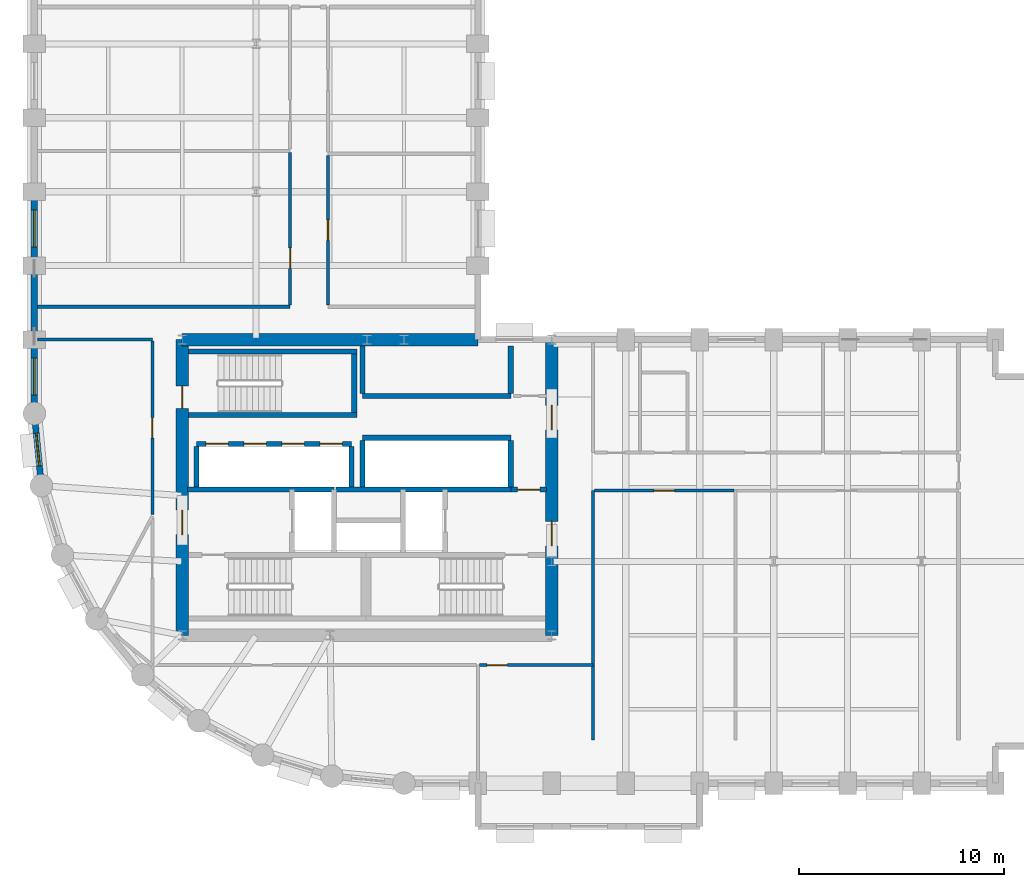
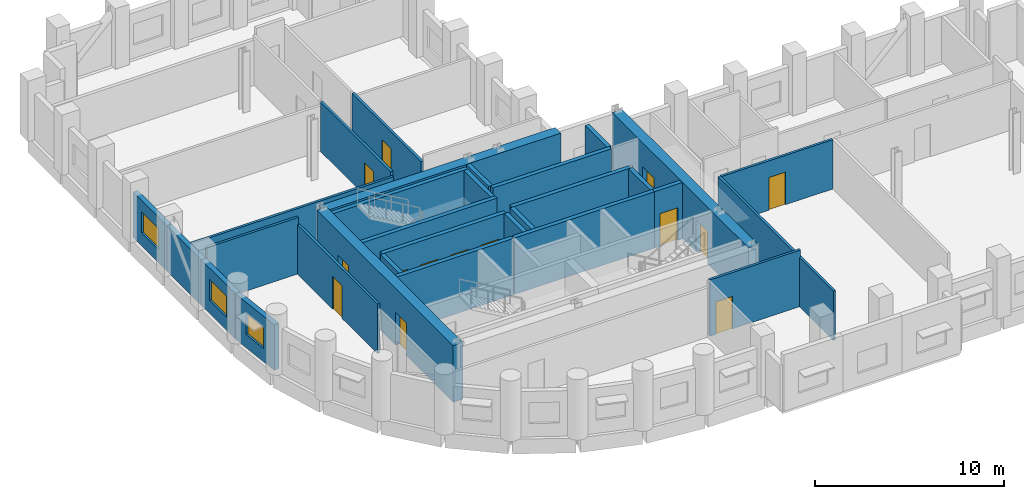
# One storey, part 4 of 10: 30 walls, 14 doors, 3 windows, 17 openings.
"""IFC4 building model written with IfcOpenShell, lengths in metres."""

import ifcopenshell
import ifcopenshell.guid

model = None  # the IFC model being written
_history = None  # IfcOwnerHistory: only IFC2X3 demands one
_inside = {}  # id of a spatial element -> (the spatial element, [elements in it])
_under = {}  # id of a project, library or spatial element -> (it, [spatial elements below it])
_declared = {}  # id of a project -> (the project, [libraries it declares])
_typed = {}  # id of a type object -> (the type object, [elements of that type])
_made_of = {}  # id of a material, layer set ... -> (it, [elements and type objects made of it])


def new_model(schema):
    """Start an empty IFC model of exactly this schema.

    Asked for "IFC4X3", IfcOpenShell would pick the latest addendum, in which some entities
    have other attributes; the version numbers below select the first issue.
    IFC2X3 requires an IfcOwnerHistory on every rooted entity: one is made here for all.
    """
    global model, _history
    if schema == "IFC4X3":
        model = ifcopenshell.file(schema_version=(4, 3, 0, 0))
    else:
        model = ifcopenshell.file(schema=schema)
    _inside.clear()
    _under.clear()
    _declared.clear()
    _typed.clear()
    _made_of.clear()
    _history = None
    if model.schema == "IFC2X3":
        org = make("IfcOrganization", Name="unknown")
        user = make(
            "IfcPersonAndOrganization",
            ThePerson=make("IfcPerson", FamilyName="unknown"),
            TheOrganization=org,
        )
        app = make(
            "IfcApplication",
            ApplicationDeveloper=org,
            Version="unknown",
            ApplicationFullName="unknown",
            ApplicationIdentifier="unknown",
        )
        _history = make(
            "IfcOwnerHistory",
            OwningUser=user,
            OwningApplication=app,
            ChangeAction="ADDED",
            CreationDate=0,
        )
    return model


def make(cls, **values):
    """One entity of the class cls with the attributes given. An attribute that is None is left unset."""
    return model.create_entity(
        cls, **{name: value for name, value in values.items() if value is not None}
    )


def rooted(cls, **values):
    """An entity with a GlobalId (a new one), such as an element, a storey or a relation."""
    return make(cls, GlobalId=ifcopenshell.guid.new(), OwnerHistory=_history, **values)


def si_unit(unit_type, name, prefix=None):
    """IfcSIUnit, for example si_unit("LENGTHUNIT", "METRE", prefix="MILLI")."""
    return make("IfcSIUnit", UnitType=unit_type, Prefix=prefix, Name=name)


def assignment(units):
    """IfcUnitAssignment: the units of a project."""
    return None if units is None else make("IfcUnitAssignment", Units=units)


def point(xyz):
    """IfcCartesianPoint."""
    return None if xyz is None else make("IfcCartesianPoint", Coordinates=xyz)


def direction(xyz):
    """IfcDirection."""
    return None if xyz is None else make("IfcDirection", DirectionRatios=xyz)


def frame(location, z_axis=None, x_axis=None):
    """IfcAxis2Placement3D, a coordinate frame: its origin and axes. An axis left out is left unset."""
    return make(
        "IfcAxis2Placement3D",
        Location=point(location),
        Axis=direction(z_axis),
        RefDirection=direction(x_axis),
    )


def frame_2d(location, x_axis=None):
    """IfcAxis2Placement2D, a coordinate frame in the plane: its origin and x axis."""
    return make(
        "IfcAxis2Placement2D", Location=point(location), RefDirection=direction(x_axis)
    )


def origin():
    """The frame at (0, 0, 0) with its axes left unset."""
    return frame((0.0, 0.0, 0.0))


def place(relative_to, where):
    """IfcLocalPlacement: puts the frame where relative to a parent placement (None: the world)."""
    return make(
        "IfcLocalPlacement", PlacementRelTo=relative_to, RelativePlacement=where
    )


def context(
    kind, dimensions, precision=None, world=None, true_north=None, identifier=None
):
    """IfcGeometricRepresentationContext, for example the 3D "Model" context."""
    return make(
        "IfcGeometricRepresentationContext",
        ContextIdentifier=identifier,
        ContextType=kind,
        CoordinateSpaceDimension=dimensions,
        Precision=precision,
        WorldCoordinateSystem=world,
        TrueNorth=true_north,
    )


def subcontext(parent, identifier, kind, view, scale=None):
    """IfcGeometricRepresentationSubContext, for example "Body" below "Model"."""
    return make(
        "IfcGeometricRepresentationSubContext",
        ContextIdentifier=identifier,
        ContextType=kind,
        ParentContext=parent,
        TargetScale=scale,
        TargetView=view,
    )


def project(units=None, contexts=None):
    """IfcProject with its units and contexts."""
    return rooted(
        "IfcProject",
        Name="project",
        RepresentationContexts=contexts,
        UnitsInContext=assignment(units),
    )


def spatial(cls, under=None, at=None, **own):
    """A site, building, storey or space (cls), placed at a placement, below another one or the project."""
    s = rooted(cls, ObjectPlacement=at, **own)
    if under is not None:
        _under.setdefault(under.id(), (under, []))[1].append(s)
    return s


def profile(cls, at=None, kind="AREA", **sizes):
    """A parametric profile (cls). Its sizes go by their IFC names, for example OverallWidth=200.0."""
    return make(cls, ProfileType=kind, Position=at, **sizes)


def rectangle(**sizes):
    """IfcRectangleProfileDef."""
    return profile("IfcRectangleProfileDef", **sizes)


def extrude(swept, where, along, depth):
    """IfcExtrudedAreaSolid: the profile swept, set in the frame where, extruded along a direction by depth."""
    return make(
        "IfcExtrudedAreaSolid",
        SweptArea=swept,
        Position=where,
        ExtrudedDirection=direction(along),
        Depth=depth,
    )


def shape(context_of_items, identifier, shape_type, items):
    """IfcShapeRepresentation: the items that make up one representation, for example the "Body"."""
    return make(
        "IfcShapeRepresentation",
        ContextOfItems=context_of_items,
        RepresentationIdentifier=identifier,
        RepresentationType=shape_type,
        Items=items,
    )


def material(Name=None, Category=None):
    """IfcMaterial."""
    return make("IfcMaterial", Name=Name, Category=Category)


def layer(
    of_material, thickness, ventilated=None, Name=None, Category=None, Priority=None
):
    """IfcMaterialLayer: one layer of a wall or slab, of a material (None: an air gap)."""
    return make(
        "IfcMaterialLayer",
        Material=of_material,
        LayerThickness=thickness,
        IsVentilated=ventilated,
        Name=Name,
        Category=Category,
        Priority=Priority,
    )


def layer_set(layers, Name=None):
    """IfcMaterialLayerSet."""
    return make("IfcMaterialLayerSet", MaterialLayers=layers, LayerSetName=Name)


def made_of(thing, what):
    """Note that an element or type object is made of a material, layer set ...; save() writes the relation."""
    if what is not None:
        _made_of.setdefault(what.id(), (what, []))[1].append(thing)
    return thing


def type_object(cls, material=None, **own):
    """A type object (cls), such as IfcWallType, which elements share."""
    return made_of(rooted(cls, **own), material)


def element(
    cls,
    number,
    at=None,
    inside=None,
    cuts=None,
    type_object=None,
    material=None,
    context=None,
    identifier="Body",
    shape_type=None,
    held_by="IfcProductDefinitionShape",
    body=None,
    shapes=None,
    **own,
):
    """One element of the class cls, such as IfcWall. Its Tag is "e" and its number.

    at: its placement. inside: the storey or other place that contains it. cuts: it is an
    opening in that element (IfcRelVoidsElement). A single representation is given by context,
    identifier, shape_type and body (its items); several are given by shapes. held_by: the class
    of the entity that holds the representations. save() writes the other relations.
    """
    e = rooted(cls, Tag="e%d" % number, ObjectPlacement=at, **own)
    if body is not None:
        shapes = [shape(context, identifier, shape_type, body)]
    if shapes is not None:
        e.Representation = make(held_by, Representations=shapes)
    if inside is not None:
        _inside.setdefault(inside.id(), (inside, []))[1].append(e)
    if cuts is not None:
        rooted(
            "IfcRelVoidsElement", RelatingBuildingElement=cuts, RelatedOpeningElement=e
        )
    if type_object is not None:
        _typed.setdefault(type_object.id(), (type_object, []))[1].append(e)
    return made_of(e, material)


def fill(opening, filler):
    """IfcRelFillsElement: the door or window that sits in an opening."""
    return rooted(
        "IfcRelFillsElement",
        RelatingOpeningElement=opening,
        RelatedBuildingElement=filler,
    )


def aggregate(whole, parts):
    """IfcRelAggregates: a whole, such as a stair, and the parts it consists of."""
    return rooted("IfcRelAggregates", RelatingObject=whole, RelatedObjects=parts)


def save(model, path):
    """Write the relations noted so far, then the file.

    IfcRelAggregates (storeys below a building ...), IfcRelContainedInSpatialStructure (elements
    in a storey), IfcRelDefinesByType, IfcRelAssociatesMaterial and IfcRelDeclares: one each for
    every whole, place, type object, material and project.
    """
    for whole, parts in _under.values():
        aggregate(whole, parts)
    for where, things in _inside.values():
        rooted(
            "IfcRelContainedInSpatialStructure",
            RelatedElements=things,
            RelatingStructure=where,
        )
    for kind, things in _typed.values():
        rooted("IfcRelDefinesByType", RelatedObjects=things, RelatingType=kind)
    for what, things in _made_of.values():
        rooted("IfcRelAssociatesMaterial", RelatedObjects=things, RelatingMaterial=what)
    for by, libraries in _declared.values():
        rooted("IfcRelDeclares", RelatingContext=by, RelatedDefinitions=libraries)
    model.write(path)


model = new_model("IFC4")

# Units and contexts
model_context = context("Model", 3, precision=1e-05, world=origin(), true_north=direction((0.0, 1.0)))
body_context = subcontext(model_context, "Body", "Model", "MODEL_VIEW")
ifc_project = project(units=[si_unit("LENGTHUNIT", "METRE"), si_unit("AREAUNIT", "SQUARE_METRE"), si_unit("VOLUMEUNIT", "CUBIC_METRE"), si_unit("PLANEANGLEUNIT", "RADIAN"), si_unit("MASSUNIT", "GRAM", prefix="KILO")], contexts=[model_context])

# Site, building, storey
site_placement = place(None, origin())
site = spatial("IfcSite", under=ifc_project, at=site_placement, CompositionType="ELEMENT")
building_placement = place(site_placement, origin())
building = spatial("IfcBuilding", under=site, at=building_placement, Name="Solnavia Interchange Tower", CompositionType="ELEMENT")
storey_placement = place(building_placement, frame((0.0, 0.0, 95.699951171875)))
storey = spatial("IfcBuildingStorey", under=building, at=storey_placement, Name="L23", CompositionType="ELEMENT", Elevation=95.699951171875)

# Wall, opening, window
ifc_material_1 = material(Name="Concrete C40/50", Category="concrete")
ifc_layer_1 = layer(ifc_material_1, 0.300048828125)
ifc_layer_set_1 = layer_set([ifc_layer_1], Name="Concrete C40/50")
wall_type_1 = type_object("IfcWallType", Name="Wall-ExtSpandrel-300", PredefinedType="STANDARD", material=ifc_layer_set_1)
wall_1_placement = place(storey_placement, frame((7.199951171875, 28.800048828125, 0.0), z_axis=(0.0, 0.0, 1.0), x_axis=(0.0, 1.0, 0.0)))
wall_1 = element("IfcWall", 1, at=wall_1_placement, inside=storey, type_object=wall_type_1, Name="EXW-L23-50 Exterior precast spandrel wall", PredefinedType="STANDARD", context=body_context, shape_type="SweptSolid", body=[
    extrude(rectangle(XDim=3.599853515625, YDim=0.300048828125, at=frame_2d((1.7998046875, 0.0))), origin(), (0.0, 0.0, 1.0), 2.929931640625),
])
opening_1_placement = place(wall_1_placement, frame((0.89990234375, 0.0, 0.85009765625)))
opening_1 = element("IfcOpeningElement", 2, at=opening_1_placement, cuts=wall_1, Name="Opening WIN-02", PredefinedType="OPENING", context=body_context, shape_type="SweptSolid", body=[
    extrude(rectangle(XDim=1.800048828125, YDim=1.35009765625, at=frame_2d((0.89990234375, 0.675048828125))), frame((0.0, 0.16015625, 0.0), z_axis=(0.0, -1.0, 0.0), x_axis=(1.0, 0.0, 0.0)), (0.0, 0.0, 1.0), 0.320068359375),
])
ifc_material_2 = material(Name="Thermal-Break Aluminium & Low-E Glass", Category="aluminium")
window_type_1 = type_object("IfcWindowType", Name="Window-Ribbon-1800x1350", PartitioningType="SINGLE_PANEL", PredefinedType="WINDOW", material=ifc_material_2)
window_1_placement = place(opening_1_placement, origin())
window_1 = element("IfcWindow", 3, at=window_1_placement, inside=storey, type_object=window_type_1, Name="WIN-L23-50 Facade ribbon window", OverallHeight=1.35009765625, OverallWidth=1.800048828125, PartitioningType="SINGLE_PANEL", PredefinedType="WINDOW", context=body_context, shape_type="SweptSolid", body=[
    extrude(rectangle(XDim=1.800048828125, YDim=1.35009765625, at=frame_2d((0.89990234375, 0.675048828125))), frame((0.0, 0.030029296875, 0.0), z_axis=(0.0, -1.0, 0.0), x_axis=(1.0, 0.0, 0.0)), (0.0, 0.0, 1.0), 0.06005859375),
])
fill(opening_1, window_1)

# Wall
wall_2_placement = place(storey_placement, frame((7.199951171875, 25.199951171875, 0.0), z_axis=(0.0, 0.0, 1.0), x_axis=(0.0, 1.0, 0.0)))
element("IfcWall", 4, at=wall_2_placement, inside=storey, type_object=wall_type_1, Name="EXW-L23-51 Exterior precast spandrel wall", PredefinedType="STANDARD", context=body_context, shape_type="SweptSolid", body=[
    extrude(rectangle(XDim=3.60009765625, YDim=0.300048828125, at=frame_2d((1.800048828125, 0.0))), origin(), (0.0, 0.0, 1.0), 2.929931640625),
])

# Wall, opening, window
wall_3_placement = place(storey_placement, frame((7.199951171875, 21.60009765625, 0.0), z_axis=(0.0, 0.0, 1.0), x_axis=(0.0, 1.0, 0.0)))
wall_3 = element("IfcWall", 5, at=wall_3_placement, inside=storey, type_object=wall_type_1, Name="EXW-L23-52 Exterior precast spandrel wall", PredefinedType="STANDARD", context=body_context, shape_type="SweptSolid", body=[
    extrude(rectangle(XDim=3.599853515625, YDim=0.300048828125, at=frame_2d((1.7998046875, 0.0))), origin(), (0.0, 0.0, 1.0), 2.929931640625),
])
opening_2_placement = place(wall_3_placement, frame((0.89990234375, 0.0, 0.85009765625)))
opening_2 = element("IfcOpeningElement", 6, at=opening_2_placement, cuts=wall_3, Name="Opening WIN-02", PredefinedType="OPENING", context=body_context, shape_type="SweptSolid", body=[
    extrude(rectangle(XDim=1.800048828125, YDim=1.35009765625, at=frame_2d((0.89990234375, 0.675048828125))), frame((0.0, 0.16015625, 0.0), z_axis=(0.0, -1.0, 0.0), x_axis=(1.0, 0.0, 0.0)), (0.0, 0.0, 1.0), 0.320068359375),
])
window_2_placement = place(opening_2_placement, origin())
window_2 = element("IfcWindow", 7, at=window_2_placement, inside=storey, type_object=window_type_1, Name="WIN-L23-52 Facade ribbon window", OverallHeight=1.35009765625, OverallWidth=1.800048828125, PartitioningType="SINGLE_PANEL", PredefinedType="WINDOW", context=body_context, shape_type="SweptSolid", body=[
    extrude(rectangle(XDim=1.800048828125, YDim=1.35009765625, at=frame_2d((0.89990234375, 0.675048828125))), frame((0.0, 0.030029296875, 0.0), z_axis=(0.0, -1.0, 0.0), x_axis=(1.0, 0.0, 0.0)), (0.0, 0.0, 1.0), 0.06005859375),
])
fill(opening_2, window_2)

wall_4_placement = place(storey_placement, frame((7.5458984375, 18.087890625, 0.0), z_axis=(0.0, 0.0, 1.0), x_axis=(-0.09802417461, 0.995184033831, 0.0)))
wall_4 = element("IfcWall", 8, at=wall_4_placement, inside=storey, type_object=wall_type_1, Name="EXW-L23-53 Exterior precast spandrel wall", PredefinedType="STANDARD", context=body_context, shape_type="SweptSolid", body=[
    extrude(rectangle(XDim=3.529296875, YDim=0.300048828125, at=frame_2d((1.7646484375, 0.0))), origin(), (0.0, 0.0, 1.0), 2.929931640625),
])
opening_3_placement = place(wall_4_placement, frame((0.965087890625, 0.0, 0.85009765625)))
opening_3 = element("IfcOpeningElement", 9, at=opening_3_placement, cuts=wall_4, Name="Opening WIN-04", PredefinedType="OPENING", context=body_context, shape_type="SweptSolid", body=[
    extrude(rectangle(XDim=1.60009765625, YDim=1.35009765625, at=frame_2d((0.800048828125, 0.675048828125))), frame((0.0, 0.16015625, 0.0), z_axis=(0.0, -1.0, 0.0), x_axis=(1.0, 0.0, 0.0)), (0.0, 0.0, 1.0), 0.320068359375),
])
window_type_2 = type_object("IfcWindowType", Name="Window-Drum-1600x1350", PartitioningType="SINGLE_PANEL", PredefinedType="WINDOW", material=ifc_material_2)
window_3_placement = place(opening_3_placement, origin())
window_3 = element("IfcWindow", 10, at=window_3_placement, inside=storey, type_object=window_type_2, Name="WIN-L23-53 Facade ribbon window", OverallHeight=1.35009765625, OverallWidth=1.60009765625, PartitioningType="SINGLE_PANEL", PredefinedType="WINDOW", context=body_context, shape_type="SweptSolid", body=[
    extrude(rectangle(XDim=1.60009765625, YDim=1.35009765625, at=frame_2d((0.800048828125, 0.675048828125))), frame((0.0, 0.030029296875, 0.0), z_axis=(0.0, -1.0, 0.0), x_axis=(1.0, 0.0, 0.0)), (0.0, 0.0, 1.0), 0.06005859375),
])
fill(opening_3, window_3)

# Wall
ifc_material_3 = material(Name="Gypsum Plasterboard & Steel Stud", Category="steel")
ifc_layer_2 = layer(ifc_material_3, 0.14990234375)
ifc_layer_set_2 = layer_set([ifc_layer_2], Name="Gypsum Plasterboard & Steel Stud")
wall_type_2 = type_object("IfcWallType", Name="Wall-Partition-150", PredefinedType="PARTITIONING", material=ifc_layer_set_2)
wall_5_placement = place(storey_placement, frame((7.35400390625, 25.199951171875, 0.0), z_axis=(0.0, 0.0, 1.0), x_axis=(1.0, 0.0, 0.0)))
element("IfcWall", 11, at=wall_5_placement, inside=storey, type_object=wall_type_2, Name="PTW-L23-07 Interior partition wall", PredefinedType="PARTITIONING", context=body_context, shape_type="SweptSolid", body=[
    extrude(rectangle(XDim=5.595947265625, YDim=0.14990234375, at=frame_2d((2.7978515625, 0.0))), origin(), (0.0, 0.0, 1.0), 3.635009765625),
])

# Wall, opening, door
wall_6_placement = place(storey_placement, frame((12.949951171875, 16.678955078125, 0.0), z_axis=(0.0, 0.0, 1.0), x_axis=(0.0, 1.0, 0.0)))
wall_6 = element("IfcWall", 12, at=wall_6_placement, inside=storey, type_object=wall_type_2, Name="PTW-L23-11 Interior partition wall", PredefinedType="PARTITIONING", context=body_context, shape_type="SweptSolid", body=[
    extrude(rectangle(XDim=8.442138671875, YDim=0.14990234375, at=frame_2d((4.22119140625, 0.0))), origin(), (0.0, 0.0, 1.0), 3.18994140625),
])
opening_4_placement = place(wall_6_placement, frame((3.720947265625, 0.0, 0.0)))
opening_4 = element("IfcOpeningElement", 13, at=opening_4_placement, cuts=wall_6, Name="Opening DR-07", PredefinedType="OPENING", context=body_context, shape_type="SweptSolid", body=[
    extrude(rectangle(XDim=1.0, YDim=2.10009765625, at=frame_2d((0.5, 1.050048828125))), frame((0.0, 0.0849609375, 0.0), z_axis=(0.0, -1.0, 0.0), x_axis=(1.0, 0.0, 0.0)), (0.0, 0.0, 1.0), 0.169921875),
])
ifc_material_4 = material(Name="Timber & Acoustic Glazed Office Door", Category="wood")
door_type_1 = type_object("IfcDoorType", Name="Door-Office-1000x2100", OperationType="SINGLE_SWING_RIGHT", PredefinedType="DOOR", material=ifc_material_4)
door_1_placement = place(opening_4_placement, origin())
door_1 = element("IfcDoor", 14, at=door_1_placement, inside=storey, type_object=door_type_1, Name="DR-L23-03 Interior room door", OperationType="SINGLE_SWING_LEFT", OverallHeight=2.10009765625, OverallWidth=1.0, PredefinedType="DOOR", context=body_context, shape_type="SweptSolid", body=[
    extrude(rectangle(XDim=1.0, YDim=2.10009765625, at=frame_2d((0.5, 1.050048828125))), frame((0.0, 0.02490234375, 0.0), z_axis=(0.0, -1.0, 0.0), x_axis=(1.0, 0.0, 0.0)), (0.0, 0.0, 1.0), 0.050048828125),
])
fill(opening_4, door_1)

wall_7_placement = place(storey_placement, frame((28.87890625, 9.35009765625, 0.0), z_axis=(0.0, 0.0, 1.0), x_axis=(1.0, 0.0, 0.0)))
wall_7 = element("IfcWall", 15, at=wall_7_placement, inside=storey, type_object=wall_type_2, Name="PTW-L23-14 Interior partition wall", PredefinedType="PARTITIONING", context=body_context, shape_type="SweptSolid", body=[
    extrude(rectangle(XDim=5.52099609375, YDim=0.14990234375, at=frame_2d((2.760498046875, 0.0))), origin(), (0.0, 0.0, 1.0), 3.635009765625),
])
opening_5_placement = place(wall_7_placement, frame((0.360107421875, 0.0, 0.0)))
opening_5 = element("IfcOpeningElement", 16, at=opening_5_placement, cuts=wall_7, Name="Opening DR-07", PredefinedType="OPENING", context=body_context, shape_type="SweptSolid", body=[
    extrude(rectangle(XDim=1.0, YDim=2.10009765625, at=frame_2d((0.5, 1.050048828125))), frame((0.0, 0.0849609375, 0.0), z_axis=(0.0, -1.0, 0.0), x_axis=(1.0, 0.0, 0.0)), (0.0, 0.0, 1.0), 0.169921875),
])
door_2_placement = place(opening_5_placement, origin())
door_2 = element("IfcDoor", 17, at=door_2_placement, inside=storey, type_object=door_type_1, Name="DR-L23-06 Interior room door", OperationType="SINGLE_SWING_LEFT", OverallHeight=2.10009765625, OverallWidth=1.0, PredefinedType="DOOR", context=body_context, shape_type="SweptSolid", body=[
    extrude(rectangle(XDim=1.0, YDim=2.10009765625, at=frame_2d((0.5, 1.050048828125))), frame((0.0, 0.02490234375, 0.0), z_axis=(0.0, -1.0, 0.0), x_axis=(1.0, 0.0, 0.0)), (0.0, 0.0, 1.0), 0.050048828125),
])
fill(opening_5, door_2)

# Wall
wall_8_placement = place(storey_placement, frame((34.39990234375, 5.699951171875, 0.0), z_axis=(0.0, 0.0, 1.0), x_axis=(0.0, 1.0, 0.0)))
element("IfcWall", 18, at=wall_8_placement, inside=storey, type_object=wall_type_2, Name="PTW-L23-15 Interior partition wall", PredefinedType="PARTITIONING", context=body_context, shape_type="SweptSolid", body=[
    extrude(rectangle(XDim=12.150146484375, YDim=0.14990234375, at=frame_2d((6.0751953125, 0.0))), origin(), (0.0, 0.0, 1.0), 3.179931640625),
])

# Wall, opening, door
wall_9_placement = place(storey_placement, frame((34.47900390625, 17.85009765625, 0.0), z_axis=(0.0, 0.0, 1.0), x_axis=(1.0, 0.0, 0.0)))
wall_9 = element("IfcWall", 19, at=wall_9_placement, inside=storey, type_object=wall_type_2, Name="PTW-L23-17 Interior partition wall", PredefinedType="PARTITIONING", context=body_context, shape_type="SweptSolid", body=[
    extrude(rectangle(XDim=6.7919921875, YDim=0.14990234375, at=frame_2d((3.39599609375, 0.0))), origin(), (0.0, 0.0, 1.0), 3.179931640625),
])
opening_6_placement = place(wall_9_placement, frame((2.89599609375, 0.0, 0.0)))
opening_6 = element("IfcOpeningElement", 20, at=opening_6_placement, cuts=wall_9, Name="Opening DR-07", PredefinedType="OPENING", context=body_context, shape_type="SweptSolid", body=[
    extrude(rectangle(XDim=1.0, YDim=2.10009765625, at=frame_2d((0.5, 1.050048828125))), frame((0.0, 0.0849609375, 0.0), z_axis=(0.0, -1.0, 0.0), x_axis=(1.0, 0.0, 0.0)), (0.0, 0.0, 1.0), 0.169921875),
])
door_3_placement = place(opening_6_placement, origin())
door_3 = element("IfcDoor", 21, at=door_3_placement, inside=storey, type_object=door_type_1, Name="DR-L23-07 Interior room door", OperationType="SINGLE_SWING_LEFT", OverallHeight=2.10009765625, OverallWidth=1.0, PredefinedType="DOOR", context=body_context, shape_type="SweptSolid", body=[
    extrude(rectangle(XDim=1.0, YDim=2.10009765625, at=frame_2d((0.5, 1.050048828125))), frame((0.0, 0.02490234375, 0.0), z_axis=(0.0, -1.0, 0.0), x_axis=(1.0, 0.0, 0.0)), (0.0, 0.0, 1.0), 0.050048828125),
])
fill(opening_6, door_3)

# Wall
wall_10_placement = place(storey_placement, frame((7.35400390625, 26.800048828125, 0.0), z_axis=(0.0, 0.0, 1.0), x_axis=(1.0, 0.0, 0.0)))
element("IfcWall", 22, at=wall_10_placement, inside=storey, type_object=wall_type_2, Name="PTW-L23-25 Interior partition wall", PredefinedType="PARTITIONING", context=body_context, shape_type="SweptSolid", body=[
    extrude(rectangle(XDim=12.2958984375, YDim=0.14990234375, at=frame_2d((6.14794921875, 0.0))), origin(), (0.0, 0.0, 1.0), 2.929931640625),
])

# Wall, opening, door
wall_11_placement = place(storey_placement, frame((19.64990234375, 26.87890625, 0.0), z_axis=(0.0, 0.0, 1.0), x_axis=(0.0, 1.0, 0.0)))
wall_11 = element("IfcWall", 23, at=wall_11_placement, inside=storey, type_object=wall_type_2, Name="PTW-L23-27 Interior partition wall", PredefinedType="PARTITIONING", context=body_context, shape_type="SweptSolid", body=[
    extrude(rectangle(XDim=7.43212890625, YDim=0.14990234375, at=frame_2d((3.716064453125, 0.0))), origin(), (0.0, 0.0, 1.0), 3.18994140625),
])
opening_7_placement = place(wall_11_placement, frame((1.7880859375, 0.0, 0.0)))
opening_7 = element("IfcOpeningElement", 24, at=opening_7_placement, cuts=wall_11, Name="Opening DR-07", PredefinedType="OPENING", context=body_context, shape_type="SweptSolid", body=[
    extrude(rectangle(XDim=1.0, YDim=2.10009765625, at=frame_2d((0.5, 1.050048828125))), frame((0.0, 0.0849609375, 0.0), z_axis=(0.0, -1.0, 0.0), x_axis=(1.0, 0.0, 0.0)), (0.0, 0.0, 1.0), 0.169921875),
])
door_4_placement = place(opening_7_placement, origin())
door_4 = element("IfcDoor", 25, at=door_4_placement, inside=storey, type_object=door_type_1, Name="DR-L23-12 Interior room door", OperationType="SINGLE_SWING_RIGHT", OverallHeight=2.10009765625, OverallWidth=1.0, PredefinedType="DOOR", context=body_context, shape_type="SweptSolid", body=[
    extrude(rectangle(XDim=1.0, YDim=2.10009765625, at=frame_2d((0.5, 1.050048828125))), frame((0.0, 0.02490234375, 0.0), z_axis=(0.0, -1.0, 0.0), x_axis=(1.0, 0.0, 0.0)), (0.0, 0.0, 1.0), 0.050048828125),
])
fill(opening_7, door_4)

wall_12_placement = place(storey_placement, frame((21.5, 26.87890625, 0.0), z_axis=(0.0, 0.0, 1.0), x_axis=(0.0, 1.0, 0.0)))
wall_12 = element("IfcWall", 26, at=wall_12_placement, inside=storey, type_object=wall_type_2, Name="PTW-L23-31 Interior partition wall", PredefinedType="PARTITIONING", context=body_context, shape_type="SweptSolid", body=[
    extrude(rectangle(XDim=7.2919921875, YDim=0.14990234375, at=frame_2d((3.64599609375, 0.0))), origin(), (0.0, 0.0, 1.0), 3.18994140625),
])
opening_8_placement = place(wall_12_placement, frame((3.14599609375, 0.0, 0.0)))
opening_8 = element("IfcOpeningElement", 27, at=opening_8_placement, cuts=wall_12, Name="Opening DR-07", PredefinedType="OPENING", context=body_context, shape_type="SweptSolid", body=[
    extrude(rectangle(XDim=1.0, YDim=2.10009765625, at=frame_2d((0.5, 1.050048828125))), frame((0.0, 0.0849609375, 0.0), z_axis=(0.0, -1.0, 0.0), x_axis=(1.0, 0.0, 0.0)), (0.0, 0.0, 1.0), 0.169921875),
])
door_5_placement = place(opening_8_placement, origin())
door_5 = element("IfcDoor", 28, at=door_5_placement, inside=storey, type_object=door_type_1, Name="DR-L23-14 Interior room door", OperationType="SINGLE_SWING_LEFT", OverallHeight=2.10009765625, OverallWidth=1.0, PredefinedType="DOOR", context=body_context, shape_type="SweptSolid", body=[
    extrude(rectangle(XDim=1.0, YDim=2.10009765625, at=frame_2d((0.5, 1.050048828125))), frame((0.0, 0.02490234375, 0.0), z_axis=(0.0, -1.0, 0.0), x_axis=(1.0, 0.0, 0.0)), (0.0, 0.0, 1.0), 0.050048828125),
])
fill(opening_8, door_5)

# Walls
ifc_layer_3 = layer(ifc_material_1, 0.25)
ifc_layer_set_3 = layer_set([ifc_layer_3], Name="Concrete C40/50")
wall_type_3 = type_object("IfcWallType", Name="Wall-ShaftCore-250", PredefinedType="SHEAR", material=ifc_layer_set_3)
for number, where, z_axis, x_axis, name in (
    (29, (14.699951171875, 21.52490234375, 0.0), (0.0, 0.0, 1.0), (1.0, 0.0, 0.0), "SHW-L23-ST3S Core shear wall"),
    (30, (14.699951171875, 24.614990234375, 0.0), (0.0, 0.0, 1.0), (1.0, 0.0, 0.0), "SHW-L23-ST3N Core shear wall"),
):
    element("IfcWall", number, at=place(storey_placement, frame(where, z_axis=z_axis, x_axis=x_axis)), inside=storey, type_object=wall_type_3, Name=name, PredefinedType="SHEAR", context=body_context, shape_type="SweptSolid", body=[
        extrude(rectangle(XDim=8.199951171875, YDim=0.25, at=frame_2d((4.10009765625, 0.0))), origin(), (0.0, 0.0, 1.0), 3.650146484375),
    ])
wall_13_placement = place(storey_placement, frame((22.77490234375, 21.64990234375, 0.0), z_axis=(0.0, 0.0, 1.0), x_axis=(0.0, 1.0, 0.0)))
element("IfcWall", 31, at=wall_13_placement, inside=storey, type_object=wall_type_3, Name="SHW-L23-ST3E Core shear wall", PredefinedType="SHEAR", context=body_context, shape_type="SweptSolid", body=[
    extrude(rectangle(XDim=2.840087890625, YDim=0.25, at=frame_2d((1.419921875, 0.0))), origin(), (0.0, 0.0, 1.0), 3.650146484375),
])
ifc_layer_4 = layer(ifc_material_1, 0.25)
ifc_layer_set_4 = layer_set([ifc_layer_4], Name="Concrete C40/50")
wall_type_4 = type_object("IfcWallType", Name="Wall-ShaftPart-250", PredefinedType="PARTITIONING", material=ifc_layer_set_4)
wall_14_placement = place(storey_placement, frame((14.64990234375, 17.89990234375, 0.0), z_axis=(0.0, 0.0, 1.0), x_axis=(1.0, 0.0, 0.0)))
element("IfcWall", 32, at=wall_14_placement, inside=storey, type_object=wall_type_4, Name="SHW-L23-FFLW-N Core shaft wall", PredefinedType="PARTITIONING", context=body_context, shape_type="SweptSolid", body=[
    extrude(rectangle(XDim=7.150146484375, YDim=0.25, at=frame_2d((3.5751953125, 0.0))), origin(), (0.0, 0.0, 1.0), 3.635009765625),
])
wall_15_placement = place(storey_placement, frame((21.8798828125, 17.89990234375, 0.0), z_axis=(0.0, 0.0, 1.0), x_axis=(1.0, 0.0, 0.0)))
element("IfcWall", 33, at=wall_15_placement, inside=storey, type_object=wall_type_4, Name="SHW-L23-FFLE-N1 Core shaft wall", PredefinedType="PARTITIONING", context=body_context, shape_type="SweptSolid", body=[
    extrude(rectangle(XDim=8.52001953125, YDim=0.25, at=frame_2d((4.260009765625, 0.0))), origin(), (0.0, 0.0, 1.0), 3.635009765625),
])

# Wall, opening, door
wall_16_placement = place(storey_placement, frame((30.39990234375, 17.89990234375, 0.0), z_axis=(0.0, 0.0, 1.0), x_axis=(1.0, 0.0, 0.0)))
wall_16 = element("IfcWall", 34, at=wall_16_placement, inside=storey, type_object=wall_type_4, Name="SHW-L23-FFLE-N2 Core shaft wall", PredefinedType="PARTITIONING", context=body_context, shape_type="SweptSolid", body=[
    extrude(rectangle(XDim=1.75, YDim=0.25, at=frame_2d((0.875, 0.0))), origin(), (0.0, 0.0, 1.0), 3.635009765625),
])
opening_9_placement = place(wall_16_placement, frame((0.320068359375, 0.0, 0.0)))
opening_9 = element("IfcOpeningElement", 35, at=opening_9_placement, cuts=wall_16, Name="Opening DR-01", PredefinedType="OPENING", context=body_context, shape_type="SweptSolid", body=[
    extrude(rectangle(XDim=1.10009765625, YDim=2.10009765625, at=frame_2d((0.550048828125, 1.050048828125))), frame((0.0, 0.135009765625, 0.0), z_axis=(0.0, -1.0, 0.0), x_axis=(1.0, 0.0, 0.0)), (0.0, 0.0, 1.0), 0.27001953125),
])
ifc_material_5 = material(Name="Steel Fire-Rated Leaf & Frame", Category="steel")
door_type_2 = type_object("IfcDoorType", Name="Door-StairFire-1100x2100", OperationType="SINGLE_SWING_LEFT", PredefinedType="DOOR", material=ifc_material_5)
door_6_placement = place(opening_9_placement, origin())
door_6 = element("IfcDoor", 36, at=door_6_placement, inside=storey, type_object=door_type_2, Name="DR-L23-LLC Core fire door", OperationType="SINGLE_SWING_LEFT", OverallHeight=2.10009765625, OverallWidth=1.10009765625, PredefinedType="DOOR", context=body_context, shape_type="SweptSolid", body=[
    extrude(rectangle(XDim=1.10009765625, YDim=2.10009765625, at=frame_2d((0.550048828125, 1.050048828125))), frame((0.0, 0.02490234375, 0.0), z_axis=(0.0, -1.0, 0.0), x_axis=(1.0, 0.0, 0.0)), (0.0, 0.0, 1.0), 0.050048828125),
])
fill(opening_9, door_6)

# Wall, openings, doors
wall_17_placement = place(storey_placement, frame((15.10009765625, 20.125, 0.0), z_axis=(0.0, 0.0, 1.0), x_axis=(1.0, 0.0, 0.0)))
wall_17 = element("IfcWall", 37, at=wall_17_placement, inside=storey, type_object=wall_type_4, Name="SHW-L23-B1N Core shaft wall", PredefinedType="PARTITIONING", context=body_context, shape_type="SweptSolid", body=[
    extrude(rectangle(XDim=7.5498046875, YDim=0.25, at=frame_2d((3.77490234375, 0.0))), origin(), (0.0, 0.0, 1.0), 3.635009765625),
])
opening_10_placement = place(wall_17_placement, frame((0.449951171875, 0.0, 0.0)))
opening_10 = element("IfcOpeningElement", 38, at=opening_10_placement, cuts=wall_17, Name="Opening LD-01", PredefinedType="OPENING", context=body_context, shape_type="SweptSolid", body=[
    extrude(rectangle(XDim=1.10009765625, YDim=2.10009765625, at=frame_2d((0.550048828125, 1.050048828125))), frame((0.0, 0.135009765625, 0.0), z_axis=(0.0, -1.0, 0.0), x_axis=(1.0, 0.0, 0.0)), (0.0, 0.0, 1.0), 0.27001953125),
])
opening_11_placement = place(wall_17_placement, frame((2.300048828125, 0.0, 0.0)))
opening_11 = element("IfcOpeningElement", 39, at=opening_11_placement, cuts=wall_17, Name="Opening LD-01", PredefinedType="OPENING", context=body_context, shape_type="SweptSolid", body=[
    extrude(rectangle(XDim=1.10009765625, YDim=2.10009765625, at=frame_2d((0.550048828125, 1.050048828125))), frame((0.0, 0.135009765625, 0.0), z_axis=(0.0, -1.0, 0.0), x_axis=(1.0, 0.0, 0.0)), (0.0, 0.0, 1.0), 0.27001953125),
])
opening_12_placement = place(wall_17_placement, frame((4.14990234375, 0.0, 0.0)))
opening_12 = element("IfcOpeningElement", 40, at=opening_12_placement, cuts=wall_17, Name="Opening LD-01", PredefinedType="OPENING", context=body_context, shape_type="SweptSolid", body=[
    extrude(rectangle(XDim=1.10009765625, YDim=2.10009765625, at=frame_2d((0.550048828125, 1.050048828125))), frame((0.0, 0.135009765625, 0.0), z_axis=(0.0, -1.0, 0.0), x_axis=(1.0, 0.0, 0.0)), (0.0, 0.0, 1.0), 0.27001953125),
])
opening_13_placement = place(wall_17_placement, frame((6.0, 0.0, 0.0)))
opening_13 = element("IfcOpeningElement", 41, at=opening_13_placement, cuts=wall_17, Name="Opening LD-01", PredefinedType="OPENING", context=body_context, shape_type="SweptSolid", body=[
    extrude(rectangle(XDim=1.10009765625, YDim=2.10009765625, at=frame_2d((0.550048828125, 1.050048828125))), frame((0.0, 0.135009765625, 0.0), z_axis=(0.0, -1.0, 0.0), x_axis=(1.0, 0.0, 0.0)), (0.0, 0.0, 1.0), 0.27001953125),
])
ifc_material_6 = material(Name="Brushed Stainless Steel Sliding Door", Category="steel")
door_type_3 = type_object("IfcDoorType", Name="Door-LiftLanding-1100x2100", OperationType="SLIDING_TO_LEFT", PredefinedType="DOOR", material=ifc_material_6)
door_7_placement = place(opening_10_placement, origin())
door_7 = element("IfcDoor", 42, at=door_7_placement, inside=storey, type_object=door_type_3, Name="LD-L23-B1-1 Lift landing sliding door", OperationType="SLIDING_TO_LEFT", OverallHeight=2.10009765625, OverallWidth=1.10009765625, PredefinedType="DOOR", context=body_context, shape_type="SweptSolid", body=[
    extrude(rectangle(XDim=1.10009765625, YDim=2.10009765625, at=frame_2d((0.550048828125, 1.050048828125))), frame((0.0, 0.02490234375, 0.0), z_axis=(0.0, -1.0, 0.0), x_axis=(1.0, 0.0, 0.0)), (0.0, 0.0, 1.0), 0.050048828125),
])
fill(opening_10, door_7)
door_8_placement = place(opening_11_placement, origin())
door_8 = element("IfcDoor", 43, at=door_8_placement, inside=storey, type_object=door_type_3, Name="LD-L23-B1-2 Lift landing sliding door", OperationType="SLIDING_TO_LEFT", OverallHeight=2.10009765625, OverallWidth=1.10009765625, PredefinedType="DOOR", context=body_context, shape_type="SweptSolid", body=[
    extrude(rectangle(XDim=1.10009765625, YDim=2.10009765625, at=frame_2d((0.550048828125, 1.050048828125))), frame((0.0, 0.02490234375, 0.0), z_axis=(0.0, -1.0, 0.0), x_axis=(1.0, 0.0, 0.0)), (0.0, 0.0, 1.0), 0.050048828125),
])
fill(opening_11, door_8)
door_9_placement = place(opening_12_placement, origin())
door_9 = element("IfcDoor", 44, at=door_9_placement, inside=storey, type_object=door_type_3, Name="LD-L23-B1-3 Lift landing sliding door", OperationType="SLIDING_TO_LEFT", OverallHeight=2.10009765625, OverallWidth=1.10009765625, PredefinedType="DOOR", context=body_context, shape_type="SweptSolid", body=[
    extrude(rectangle(XDim=1.10009765625, YDim=2.10009765625, at=frame_2d((0.550048828125, 1.050048828125))), frame((0.0, 0.02490234375, 0.0), z_axis=(0.0, -1.0, 0.0), x_axis=(1.0, 0.0, 0.0)), (0.0, 0.0, 1.0), 0.050048828125),
])
fill(opening_12, door_9)
door_10_placement = place(opening_13_placement, origin())
door_10 = element("IfcDoor", 45, at=door_10_placement, inside=storey, type_object=door_type_3, Name="LD-L23-B1-4 Lift landing sliding door", OperationType="SLIDING_TO_LEFT", OverallHeight=2.10009765625, OverallWidth=1.10009765625, PredefinedType="DOOR", context=body_context, shape_type="SweptSolid", body=[
    extrude(rectangle(XDim=1.10009765625, YDim=2.10009765625, at=frame_2d((0.550048828125, 1.050048828125))), frame((0.0, 0.02490234375, 0.0), z_axis=(0.0, -1.0, 0.0), x_axis=(1.0, 0.0, 0.0)), (0.0, 0.0, 1.0), 0.050048828125),
])
fill(opening_13, door_10)

# Walls
for number, where, z_axis, x_axis, name in (
    (46, (15.10009765625, 18.02490234375, 0.0), (0.0, 0.0, 1.0), (0.0, 1.0, 0.0), "SHW-L23-B1W Core shaft wall"),
    (47, (22.64990234375, 18.02490234375, 0.0), (0.0, 0.0, 1.0), (0.0, 1.0, 0.0), "SHW-L23-B1E Core shaft wall"),
):
    element("IfcWall", number, at=place(storey_placement, frame(where, z_axis=z_axis, x_axis=x_axis)), inside=storey, type_object=wall_type_4, Name=name, PredefinedType="PARTITIONING", context=body_context, shape_type="SweptSolid", body=[
        extrude(rectangle(XDim=1.97509765625, YDim=0.25, at=frame_2d((0.987548828125, 0.0))), origin(), (0.0, 0.0, 1.0), 3.635009765625),
    ])
wall_18_placement = place(storey_placement, frame((23.179931640625, 20.419921875, 0.0), z_axis=(0.0, 0.0, 1.0), x_axis=(1.0, 0.0, 0.0)))
element("IfcWall", 48, at=wall_18_placement, inside=storey, type_object=wall_type_4, Name="SHW-L23-B2N Core shaft wall", PredefinedType="PARTITIONING", context=body_context, shape_type="SweptSolid", body=[
    extrude(rectangle(XDim=7.219970703125, YDim=0.25, at=frame_2d((3.60986328125, 0.0))), origin(), (0.0, 0.0, 1.0), 3.635009765625),
])
for number, where, z_axis, x_axis, name in (
    (49, (23.179931640625, 18.02490234375, 0.0), (0.0, 0.0, 1.0), (0.0, 1.0, 0.0), "SHW-L23-B2W Core shaft wall"),
    (50, (30.39990234375, 18.02490234375, 0.0), (0.0, 0.0, 1.0), (0.0, 1.0, 0.0), "SHW-L23-B2E Core shaft wall"),
):
    element("IfcWall", number, at=place(storey_placement, frame(where, z_axis=z_axis, x_axis=x_axis)), inside=storey, type_object=wall_type_4, Name=name, PredefinedType="PARTITIONING", context=body_context, shape_type="SweptSolid", body=[
        extrude(rectangle(XDim=2.27001953125, YDim=0.25, at=frame_2d((1.135009765625, 0.0))), origin(), (0.0, 0.0, 1.0), 3.635009765625),
    ])
wall_19_placement = place(storey_placement, frame((23.179931640625, 22.4599609375, 0.0), z_axis=(0.0, 0.0, 1.0), x_axis=(1.0, 0.0, 0.0)))
element("IfcWall", 51, at=wall_19_placement, inside=storey, type_object=wall_type_4, Name="SHW-L23-B3S Core shaft wall", PredefinedType="PARTITIONING", context=body_context, shape_type="SweptSolid", body=[
    extrude(rectangle(XDim=7.219970703125, YDim=0.25, at=frame_2d((3.60986328125, 0.0))), origin(), (0.0, 0.0, 1.0), 3.635009765625),
])
for number, where, z_axis, x_axis, name in (
    (52, (23.179931640625, 22.5849609375, 0.0), (0.0, 0.0, 1.0), (0.0, 1.0, 0.0), "SHW-L23-B3W Core shaft wall"),
    (53, (30.39990234375, 22.5849609375, 0.0), (0.0, 0.0, 1.0), (0.0, 1.0, 0.0), "SHW-L23-B3E Core shaft wall"),
):
    element("IfcWall", number, at=place(storey_placement, frame(where, z_axis=z_axis, x_axis=x_axis)), inside=storey, type_object=wall_type_4, Name=name, PredefinedType="PARTITIONING", context=body_context, shape_type="SweptSolid", body=[
        extrude(rectangle(XDim=2.31494140625, YDim=0.25, at=frame_2d((1.157470703125, 0.0))), origin(), (0.0, 0.0, 1.0), 3.635009765625),
    ])
ifc_material_7 = material(Name="Concrete C60/75", Category="concrete")
ifc_layer_5 = layer(ifc_material_7, 0.60009765625)
ifc_layer_set_5 = layer_set([ifc_layer_5], Name="Concrete C60/75")
wall_type_5 = type_object("IfcWallType", Name="Wall-ShearCore-600", PredefinedType="SHEAR", material=ifc_layer_set_5)
wall_20_placement = place(storey_placement, frame((14.39990234375, 25.199951171875, 0.0), z_axis=(0.0, 0.0, 1.0), x_axis=(1.0, 0.0, 0.0)))
element("IfcWall", 54, at=wall_20_placement, inside=storey, type_object=wall_type_5, Name="CRW-L23-N Core shear wall", PredefinedType="SHEAR", context=body_context, shape_type="SweptSolid", body=[
    extrude(rectangle(XDim=14.400146484375, YDim=0.60009765625, at=frame_2d((7.2001953125, 0.0))), origin(), (0.0, 0.0, 1.0), 3.650146484375),
])

# Wall, openings, doors
wall_21_placement = place(storey_placement, frame((14.39990234375, 10.800048828125, 0.0), z_axis=(0.0, 0.0, 1.0), x_axis=(0.0, 1.0, 0.0)))
wall_21 = element("IfcWall", 55, at=wall_21_placement, inside=storey, type_object=wall_type_5, Name="CRW-L23-W Core shear wall", PredefinedType="SHEAR", context=body_context, shape_type="SweptSolid", body=[
    extrude(rectangle(XDim=14.39990234375, YDim=0.60009765625, at=frame_2d((7.199951171875, 0.0))), origin(), (0.0, 0.0, 1.0), 3.650146484375),
])
opening_14_placement = place(wall_21_placement, frame((11.050048828125, 0.0, 0.0)))
opening_14 = element("IfcOpeningElement", 56, at=opening_14_placement, cuts=wall_21, Name="Opening DR-01", PredefinedType="OPENING", context=body_context, shape_type="SweptSolid", body=[
    extrude(rectangle(XDim=1.10009765625, YDim=2.10009765625, at=frame_2d((0.550048828125, 1.050048828125))), frame((0.0, 0.31005859375, 0.0), z_axis=(0.0, -1.0, 0.0), x_axis=(1.0, 0.0, 0.0)), (0.0, 0.0, 1.0), 0.6201171875),
])
opening_15_placement = place(wall_21_placement, frame((4.89990234375, 0.0, 0.0)))
opening_15 = element("IfcOpeningElement", 57, at=opening_15_placement, cuts=wall_21, Name="Opening DR-02", PredefinedType="OPENING", context=body_context, shape_type="SweptSolid", body=[
    extrude(rectangle(XDim=1.199951171875, YDim=2.10009765625, at=frame_2d((0.60009765625, 1.050048828125))), frame((0.0, 0.31005859375, 0.0), z_axis=(0.0, -1.0, 0.0), x_axis=(1.0, 0.0, 0.0)), (0.0, 0.0, 1.0), 0.6201171875),
])
ifc_material_8 = material(Name="Steel Fire-Rated Vision-Panel Door", Category="steel")
door_type_4 = type_object("IfcDoorType", Name="Door-LobbyFire-1200x2100", OperationType="SINGLE_SWING_RIGHT", PredefinedType="DOOR", material=ifc_material_8)
door_11_placement = place(opening_15_placement, origin())
door_11 = element("IfcDoor", 58, at=door_11_placement, inside=storey, type_object=door_type_4, Name="DR-L23-FFL1W Core fire door", OperationType="SINGLE_SWING_RIGHT", OverallHeight=2.10009765625, OverallWidth=1.199951171875, PredefinedType="DOOR", context=body_context, shape_type="SweptSolid", body=[
    extrude(rectangle(XDim=1.199951171875, YDim=2.10009765625, at=frame_2d((0.60009765625, 1.050048828125))), frame((0.0, 0.02490234375, 0.0), z_axis=(0.0, -1.0, 0.0), x_axis=(1.0, 0.0, 0.0)), (0.0, 0.0, 1.0), 0.050048828125),
])
fill(opening_15, door_11)
door_12_placement = place(opening_14_placement, origin())
door_12 = element("IfcDoor", 59, at=door_12_placement, inside=storey, type_object=door_type_2, Name="DR-L23-ST3 Core fire door", OperationType="SINGLE_SWING_RIGHT", OverallHeight=2.10009765625, OverallWidth=1.10009765625, PredefinedType="DOOR", context=body_context, shape_type="SweptSolid", body=[
    extrude(rectangle(XDim=1.10009765625, YDim=2.10009765625, at=frame_2d((0.550048828125, 1.050048828125))), frame((0.0, 0.02490234375, 0.0), z_axis=(0.0, -1.0, 0.0), x_axis=(1.0, 0.0, 0.0)), (0.0, 0.0, 1.0), 0.050048828125),
])
fill(opening_14, door_12)

wall_22_placement = place(storey_placement, frame((32.39990234375, 10.800048828125, 0.0), z_axis=(0.0, 0.0, 1.0), x_axis=(0.0, 1.0, 0.0)))
wall_22 = element("IfcWall", 60, at=wall_22_placement, inside=storey, type_object=wall_type_5, Name="CRW-L23-E Core shear wall", PredefinedType="SHEAR", context=body_context, shape_type="SweptSolid", body=[
    extrude(rectangle(XDim=14.39990234375, YDim=0.60009765625, at=frame_2d((7.199951171875, 0.0))), origin(), (0.0, 0.0, 1.0), 3.650146484375),
])
opening_16_placement = place(wall_22_placement, frame((4.35009765625, 0.0, 0.0)))
opening_16 = element("IfcOpeningElement", 61, at=opening_16_placement, cuts=wall_22, Name="Opening DR-02", PredefinedType="OPENING", context=body_context, shape_type="SweptSolid", body=[
    extrude(rectangle(XDim=1.199951171875, YDim=2.10009765625, at=frame_2d((0.60009765625, 1.050048828125))), frame((0.0, 0.31005859375, 0.0), z_axis=(0.0, -1.0, 0.0), x_axis=(1.0, 0.0, 0.0)), (0.0, 0.0, 1.0), 0.6201171875),
])
opening_17_placement = place(wall_22_placement, frame((10.0, 0.0, 0.0)))
opening_17 = element("IfcOpeningElement", 62, at=opening_17_placement, cuts=wall_22, Name="Opening DR-02", PredefinedType="OPENING", context=body_context, shape_type="SweptSolid", body=[
    extrude(rectangle(XDim=1.199951171875, YDim=2.10009765625, at=frame_2d((0.60009765625, 1.050048828125))), frame((0.0, 0.31005859375, 0.0), z_axis=(0.0, -1.0, 0.0), x_axis=(1.0, 0.0, 0.0)), (0.0, 0.0, 1.0), 0.6201171875),
])
door_13_placement = place(opening_16_placement, origin())
door_13 = element("IfcDoor", 63, at=door_13_placement, inside=storey, type_object=door_type_4, Name="DR-L23-FFL2E Core fire door", OperationType="SINGLE_SWING_LEFT", OverallHeight=2.10009765625, OverallWidth=1.199951171875, PredefinedType="DOOR", context=body_context, shape_type="SweptSolid", body=[
    extrude(rectangle(XDim=1.199951171875, YDim=2.10009765625, at=frame_2d((0.60009765625, 1.050048828125))), frame((0.0, 0.02490234375, 0.0), z_axis=(0.0, -1.0, 0.0), x_axis=(1.0, 0.0, 0.0)), (0.0, 0.0, 1.0), 0.050048828125),
])
fill(opening_16, door_13)
door_14_placement = place(opening_17_placement, origin())
door_14 = element("IfcDoor", 64, at=door_14_placement, inside=storey, type_object=door_type_4, Name="DR-L23-LLE Core fire door", OperationType="SINGLE_SWING_RIGHT", OverallHeight=2.10009765625, OverallWidth=1.199951171875, PredefinedType="DOOR", context=body_context, shape_type="SweptSolid", body=[
    extrude(rectangle(XDim=1.199951171875, YDim=2.10009765625, at=frame_2d((0.60009765625, 1.050048828125))), frame((0.0, 0.02490234375, 0.0), z_axis=(0.0, -1.0, 0.0), x_axis=(1.0, 0.0, 0.0)), (0.0, 0.0, 1.0), 0.050048828125),
])
fill(opening_17, door_14)

save(model, "model.ifc")
